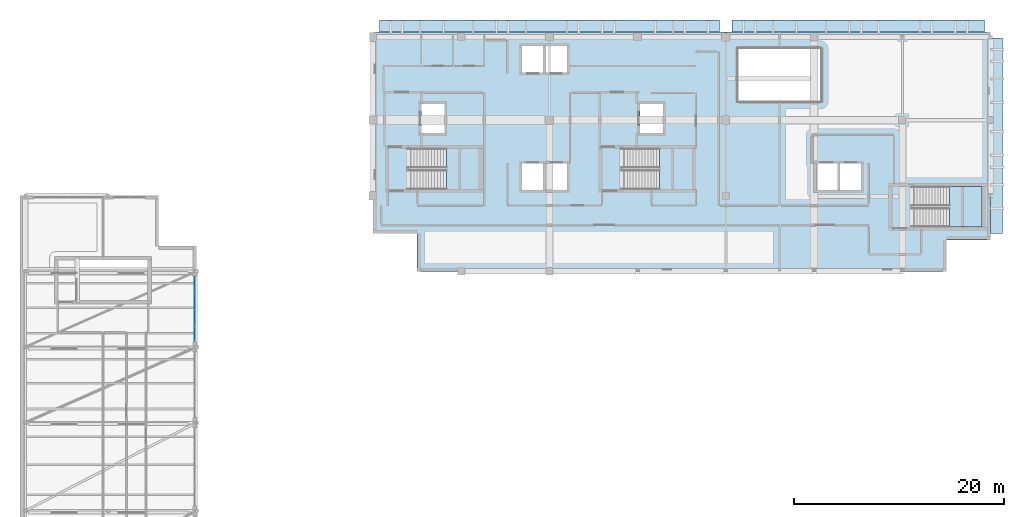
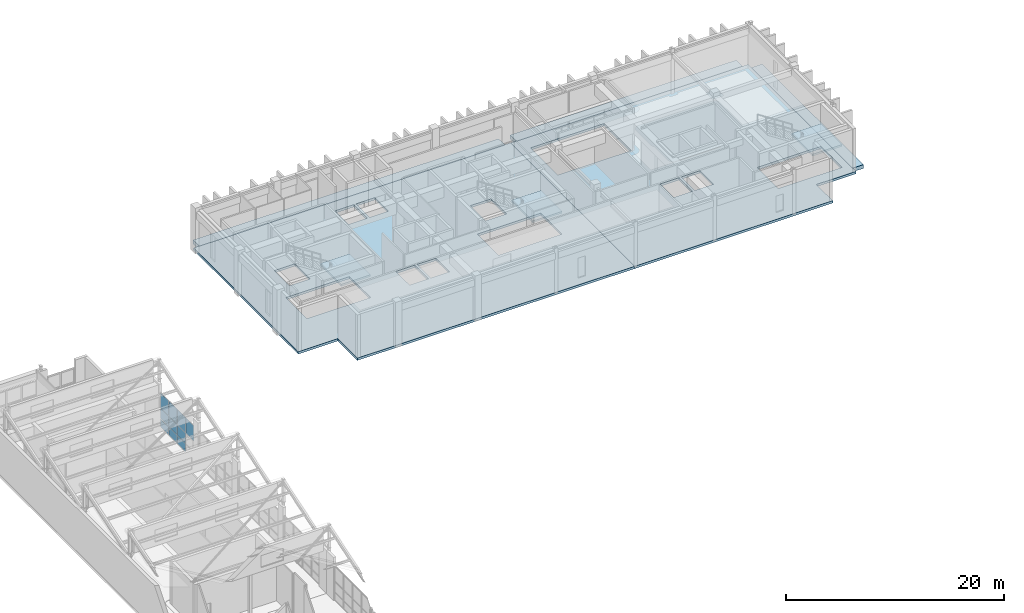
# One storey, part 23 of 34: 10 plates, 8 slabs, 4 elements without a shape of their own.
"""IFC4 building model written with IfcOpenShell, lengths in metres."""

import ifcopenshell
import ifcopenshell.guid

model = None  # the IFC model being written
_history = None  # IfcOwnerHistory: only IFC2X3 demands one
_inside = {}  # id of a spatial element -> (the spatial element, [elements in it])
_under = {}  # id of a project, library or spatial element -> (it, [spatial elements below it])
_declared = {}  # id of a project -> (the project, [libraries it declares])
_typed = {}  # id of a type object -> (the type object, [elements of that type])
_made_of = {}  # id of a material, layer set ... -> (it, [elements and type objects made of it])


def new_model(schema):
    """Start an empty IFC model of exactly this schema.

    Asked for "IFC4X3", IfcOpenShell would pick the latest addendum, in which some entities
    have other attributes; the version numbers below select the first issue.
    IFC2X3 requires an IfcOwnerHistory on every rooted entity: one is made here for all.
    """
    global model, _history
    if schema == "IFC4X3":
        model = ifcopenshell.file(schema_version=(4, 3, 0, 0))
    else:
        model = ifcopenshell.file(schema=schema)
    _inside.clear()
    _under.clear()
    _declared.clear()
    _typed.clear()
    _made_of.clear()
    _history = None
    if model.schema == "IFC2X3":
        org = make("IfcOrganization", Name="unknown")
        user = make(
            "IfcPersonAndOrganization",
            ThePerson=make("IfcPerson", FamilyName="unknown"),
            TheOrganization=org,
        )
        app = make(
            "IfcApplication",
            ApplicationDeveloper=org,
            Version="unknown",
            ApplicationFullName="unknown",
            ApplicationIdentifier="unknown",
        )
        _history = make(
            "IfcOwnerHistory",
            OwningUser=user,
            OwningApplication=app,
            ChangeAction="ADDED",
            CreationDate=0,
        )
    return model


def make(cls, **values):
    """One entity of the class cls with the attributes given. An attribute that is None is left unset."""
    return model.create_entity(
        cls, **{name: value for name, value in values.items() if value is not None}
    )


def rooted(cls, **values):
    """An entity with a GlobalId (a new one), such as an element, a storey or a relation."""
    return make(cls, GlobalId=ifcopenshell.guid.new(), OwnerHistory=_history, **values)


def si_unit(unit_type, name, prefix=None):
    """IfcSIUnit, for example si_unit("LENGTHUNIT", "METRE", prefix="MILLI")."""
    return make("IfcSIUnit", UnitType=unit_type, Prefix=prefix, Name=name)


def assignment(units):
    """IfcUnitAssignment: the units of a project."""
    return None if units is None else make("IfcUnitAssignment", Units=units)


def point(xyz):
    """IfcCartesianPoint."""
    return None if xyz is None else make("IfcCartesianPoint", Coordinates=xyz)


def direction(xyz):
    """IfcDirection."""
    return None if xyz is None else make("IfcDirection", DirectionRatios=xyz)


def frame(location, z_axis=None, x_axis=None):
    """IfcAxis2Placement3D, a coordinate frame: its origin and axes. An axis left out is left unset."""
    return make(
        "IfcAxis2Placement3D",
        Location=point(location),
        Axis=direction(z_axis),
        RefDirection=direction(x_axis),
    )


def frame_2d(location, x_axis=None):
    """IfcAxis2Placement2D, a coordinate frame in the plane: its origin and x axis."""
    return make(
        "IfcAxis2Placement2D", Location=point(location), RefDirection=direction(x_axis)
    )


def origin():
    """The frame at (0, 0, 0) with its axes left unset."""
    return frame((0.0, 0.0, 0.0))


def origin_2d():
    """The frame at (0, 0) in the plane with its x axis left unset."""
    return frame_2d((0.0, 0.0))


def place(relative_to, where):
    """IfcLocalPlacement: puts the frame where relative to a parent placement (None: the world)."""
    return make(
        "IfcLocalPlacement", PlacementRelTo=relative_to, RelativePlacement=where
    )


def context(
    kind, dimensions, precision=None, world=None, true_north=None, identifier=None
):
    """IfcGeometricRepresentationContext, for example the 3D "Model" context."""
    return make(
        "IfcGeometricRepresentationContext",
        ContextIdentifier=identifier,
        ContextType=kind,
        CoordinateSpaceDimension=dimensions,
        Precision=precision,
        WorldCoordinateSystem=world,
        TrueNorth=true_north,
    )


def subcontext(parent, identifier, kind, view, scale=None):
    """IfcGeometricRepresentationSubContext, for example "Body" below "Model"."""
    return make(
        "IfcGeometricRepresentationSubContext",
        ContextIdentifier=identifier,
        ContextType=kind,
        ParentContext=parent,
        TargetScale=scale,
        TargetView=view,
    )


def project(units=None, contexts=None):
    """IfcProject with its units and contexts."""
    return rooted(
        "IfcProject",
        Name="project",
        RepresentationContexts=contexts,
        UnitsInContext=assignment(units),
    )


def spatial(cls, under=None, at=None, **own):
    """A site, building, storey or space (cls), placed at a placement, below another one or the project."""
    s = rooted(cls, ObjectPlacement=at, **own)
    if under is not None:
        _under.setdefault(under.id(), (under, []))[1].append(s)
    return s


def polyline(points):
    """IfcPolyline through the points."""
    return make("IfcPolyline", Points=[point(p) for p in points])


def profile(cls, at=None, kind="AREA", **sizes):
    """A parametric profile (cls). Its sizes go by their IFC names, for example OverallWidth=200.0."""
    return make(cls, ProfileType=kind, Position=at, **sizes)


def rectangle(**sizes):
    """IfcRectangleProfileDef."""
    return profile("IfcRectangleProfileDef", **sizes)


def outline(outer, holes=None, kind="AREA"):
    """IfcArbitraryClosedProfileDef: a profile drawn as a closed curve; with holes, ...WithVoids."""
    if holes is None:
        return make("IfcArbitraryClosedProfileDef", ProfileType=kind, OuterCurve=outer)
    return make(
        "IfcArbitraryProfileDefWithVoids",
        ProfileType=kind,
        OuterCurve=outer,
        InnerCurves=holes,
    )


def extrude(swept, where, along, depth):
    """IfcExtrudedAreaSolid: the profile swept, set in the frame where, extruded along a direction by depth."""
    return make(
        "IfcExtrudedAreaSolid",
        SweptArea=swept,
        Position=where,
        ExtrudedDirection=direction(along),
        Depth=depth,
    )


def shape(context_of_items, identifier, shape_type, items):
    """IfcShapeRepresentation: the items that make up one representation, for example the "Body"."""
    return make(
        "IfcShapeRepresentation",
        ContextOfItems=context_of_items,
        RepresentationIdentifier=identifier,
        RepresentationType=shape_type,
        Items=items,
    )


def material(Name=None, Category=None):
    """IfcMaterial."""
    return make("IfcMaterial", Name=Name, Category=Category)


def layer(
    of_material, thickness, ventilated=None, Name=None, Category=None, Priority=None
):
    """IfcMaterialLayer: one layer of a wall or slab, of a material (None: an air gap)."""
    return make(
        "IfcMaterialLayer",
        Material=of_material,
        LayerThickness=thickness,
        IsVentilated=ventilated,
        Name=Name,
        Category=Category,
        Priority=Priority,
    )


def layer_set(layers, Name=None):
    """IfcMaterialLayerSet."""
    return make("IfcMaterialLayerSet", MaterialLayers=layers, LayerSetName=Name)


def made_of(thing, what):
    """Note that an element or type object is made of a material, layer set ...; save() writes the relation."""
    if what is not None:
        _made_of.setdefault(what.id(), (what, []))[1].append(thing)
    return thing


def type_object(cls, material=None, **own):
    """A type object (cls), such as IfcWallType, which elements share."""
    return made_of(rooted(cls, **own), material)


def element(
    cls,
    number,
    at=None,
    inside=None,
    cuts=None,
    type_object=None,
    material=None,
    context=None,
    identifier="Body",
    shape_type=None,
    held_by="IfcProductDefinitionShape",
    body=None,
    shapes=None,
    **own,
):
    """One element of the class cls, such as IfcWall. Its Tag is "e" and its number.

    at: its placement. inside: the storey or other place that contains it. cuts: it is an
    opening in that element (IfcRelVoidsElement). A single representation is given by context,
    identifier, shape_type and body (its items); several are given by shapes. held_by: the class
    of the entity that holds the representations. save() writes the other relations.
    """
    e = rooted(cls, Tag="e%d" % number, ObjectPlacement=at, **own)
    if body is not None:
        shapes = [shape(context, identifier, shape_type, body)]
    if shapes is not None:
        e.Representation = make(held_by, Representations=shapes)
    if inside is not None:
        _inside.setdefault(inside.id(), (inside, []))[1].append(e)
    if cuts is not None:
        rooted(
            "IfcRelVoidsElement", RelatingBuildingElement=cuts, RelatedOpeningElement=e
        )
    if type_object is not None:
        _typed.setdefault(type_object.id(), (type_object, []))[1].append(e)
    return made_of(e, material)


def aggregate(whole, parts):
    """IfcRelAggregates: a whole, such as a stair, and the parts it consists of."""
    return rooted("IfcRelAggregates", RelatingObject=whole, RelatedObjects=parts)


def save(model, path):
    """Write the relations noted so far, then the file.

    IfcRelAggregates (storeys below a building ...), IfcRelContainedInSpatialStructure (elements
    in a storey), IfcRelDefinesByType, IfcRelAssociatesMaterial and IfcRelDeclares: one each for
    every whole, place, type object, material and project.
    """
    for whole, parts in _under.values():
        aggregate(whole, parts)
    for where, things in _inside.values():
        rooted(
            "IfcRelContainedInSpatialStructure",
            RelatedElements=things,
            RelatingStructure=where,
        )
    for kind, things in _typed.values():
        rooted("IfcRelDefinesByType", RelatedObjects=things, RelatingType=kind)
    for what, things in _made_of.values():
        rooted("IfcRelAssociatesMaterial", RelatedObjects=things, RelatingMaterial=what)
    for by, libraries in _declared.values():
        rooted("IfcRelDeclares", RelatingContext=by, RelatedDefinitions=libraries)
    model.write(path)


model = new_model("IFC4")

# Units and contexts
model_context = context("Model", 3, precision=1e-05, world=origin(), true_north=direction((0.0, 1.0)))
body_context = subcontext(model_context, "Body", "Model", "MODEL_VIEW")
ifc_project = project(units=[si_unit("LENGTHUNIT", "METRE"), si_unit("AREAUNIT", "SQUARE_METRE"), si_unit("VOLUMEUNIT", "CUBIC_METRE"), si_unit("PLANEANGLEUNIT", "RADIAN"), si_unit("MASSUNIT", "GRAM", prefix="KILO")], contexts=[model_context])

# Site, building, storey
site_placement = place(None, origin())
site = spatial("IfcSite", under=ifc_project, at=site_placement, CompositionType="ELEMENT")
building_placement = place(site_placement, origin())
building = spatial("IfcBuilding", under=site, at=building_placement, Name="Quendrovan Civic Courthouse", CompositionType="ELEMENT")
storey_placement = place(building_placement, frame((0.0, 0.0, 25.5)))
storey = spatial("IfcBuildingStorey", under=building, at=storey_placement, Name="L06", CompositionType="ELEMENT", Elevation=25.5)

# Curtain wall, plates
ifc_material_1 = material(Name="Bronze anodised aluminium and low-E glass", Category="aluminium")
ifc_layer_1 = layer(ifc_material_1, 0.179931640625, Name="Bronze anodised aluminium and low-E glass")
ifc_layer_set_1 = layer_set([ifc_layer_1], Name="Bronze anodised aluminium and low-E glass")
curtain_wall_type = type_object("IfcCurtainWallType", Name="CW-U62x39", PredefinedType="USERDEFINED", material=ifc_layer_set_1)
curtain_wall_placement = place(storey_placement, origin())
curtain_wall = element("IfcCurtainWall", 1, at=curtain_wall_placement, inside=storey, type_object=curtain_wall_type, Name="L06 Unitised Hurricane Curtain Wall CW-207", ObjectType="UNITISED CURTAIN WALL", PredefinedType="USERDEFINED")
ifc_material_2 = material(Name="Laminated hurricane-impact low-E glass", Category="glass")
ifc_layer_2 = layer(ifc_material_2, 0.0419921875, Name="Laminated hurricane-impact low-E glass")
ifc_layer_set_2 = layer_set([ifc_layer_2], Name="Laminated hurricane-impact low-E glass")
plate_type = type_object("IfcPlateType", Name="CW-PNL-4", PredefinedType="CURTAIN_PANEL", material=ifc_layer_set_2)
plate_1_placement = place(storey_placement, frame((16.635009765625, 86.3173828125, 0.06494140625), z_axis=(0.0, 0.0, 1.0), x_axis=(0.0, -1.0, 0.0)))
plate_1 = element("IfcPlate", 2, at=plate_1_placement, type_object=plate_type, Name="CW-207 panel 1.1", PredefinedType="CURTAIN_PANEL", context=body_context, shape_type="SweptSolid", body=[
    extrude(rectangle(XDim=1.462158203125, YDim=0.0419921875, at=origin_2d()), origin(), (0.0, 0.0, 1.0), 0.8525390625),
])
plate_2_placement = place(storey_placement, frame((16.635009765625, 86.3173828125, 0.982421875), z_axis=(0.0, 0.0, 1.0), x_axis=(0.0, -1.0, 0.0)))
plate_2 = element("IfcPlate", 3, at=plate_2_placement, type_object=plate_type, Name="CW-207 panel 1.2", PredefinedType="CURTAIN_PANEL", context=body_context, shape_type="SweptSolid", body=[
    extrude(rectangle(XDim=1.462158203125, YDim=0.0419921875, at=origin_2d()), origin(), (0.0, 0.0, 1.0), 1.135009765625),
])
plate_3_placement = place(storey_placement, frame((16.635009765625, 86.3173828125, 2.1826171875), z_axis=(0.0, 0.0, 1.0), x_axis=(0.0, -1.0, 0.0)))
plate_3 = element("IfcPlate", 4, at=plate_3_placement, type_object=plate_type, Name="CW-207 panel 1.3", PredefinedType="CURTAIN_PANEL", context=body_context, shape_type="SweptSolid", body=[
    extrude(rectangle(XDim=1.462158203125, YDim=0.0419921875, at=origin_2d()), origin(), (0.0, 0.0, 1.0), 1.652587890625),
])
plate_4_placement = place(storey_placement, frame((16.635009765625, 84.774169921875, 0.06494140625), z_axis=(0.0, 0.0, 1.0), x_axis=(0.0, -1.0, 0.0)))
plate_4 = element("IfcPlate", 5, at=plate_4_placement, type_object=plate_type, Name="CW-207 panel 2.1", PredefinedType="CURTAIN_PANEL", context=body_context, shape_type="SweptSolid", body=[
    extrude(rectangle(XDim=1.49462890625, YDim=0.0419921875, at=origin_2d()), origin(), (0.0, 0.0, 1.0), 0.8525390625),
])
plate_5_placement = place(storey_placement, frame((16.635009765625, 84.774169921875, 0.982421875), z_axis=(0.0, 0.0, 1.0), x_axis=(0.0, -1.0, 0.0)))
plate_5 = element("IfcPlate", 6, at=plate_5_placement, type_object=plate_type, Name="CW-207 panel 2.2", PredefinedType="CURTAIN_PANEL", context=body_context, shape_type="SweptSolid", body=[
    extrude(rectangle(XDim=1.49462890625, YDim=0.0419921875, at=origin_2d()), origin(), (0.0, 0.0, 1.0), 1.135009765625),
])
plate_6_placement = place(storey_placement, frame((16.635009765625, 84.774169921875, 2.1826171875), z_axis=(0.0, 0.0, 1.0), x_axis=(0.0, -1.0, 0.0)))
plate_6 = element("IfcPlate", 7, at=plate_6_placement, type_object=plate_type, Name="CW-207 panel 2.3", PredefinedType="CURTAIN_PANEL", context=body_context, shape_type="SweptSolid", body=[
    extrude(rectangle(XDim=1.49462890625, YDim=0.0419921875, at=origin_2d()), origin(), (0.0, 0.0, 1.0), 1.652587890625),
])
plate_7_placement = place(storey_placement, frame((16.635009765625, 83.21435546875, 0.06494140625), z_axis=(0.0, 0.0, 1.0), x_axis=(0.0, -1.0, 0.0)))
plate_7 = element("IfcPlate", 8, at=plate_7_placement, type_object=plate_type, Name="CW-207 panel 3.1", PredefinedType="CURTAIN_PANEL", context=body_context, shape_type="SweptSolid", body=[
    extrude(rectangle(XDim=1.49462890625, YDim=0.0419921875, at=origin_2d()), origin(), (0.0, 0.0, 1.0), 0.8525390625),
])
plate_8_placement = place(storey_placement, frame((16.635009765625, 83.21435546875, 0.982421875), z_axis=(0.0, 0.0, 1.0), x_axis=(0.0, -1.0, 0.0)))
plate_8 = element("IfcPlate", 9, at=plate_8_placement, type_object=plate_type, Name="CW-207 panel 3.2", PredefinedType="CURTAIN_PANEL", context=body_context, shape_type="SweptSolid", body=[
    extrude(rectangle(XDim=1.49462890625, YDim=0.0419921875, at=origin_2d()), origin(), (0.0, 0.0, 1.0), 1.135009765625),
])
plate_9_placement = place(storey_placement, frame((16.635009765625, 83.21435546875, 2.1826171875), z_axis=(0.0, 0.0, 1.0), x_axis=(0.0, -1.0, 0.0)))
plate_9 = element("IfcPlate", 10, at=plate_9_placement, type_object=plate_type, Name="CW-207 panel 3.3", PredefinedType="CURTAIN_PANEL", context=body_context, shape_type="SweptSolid", body=[
    extrude(rectangle(XDim=1.49462890625, YDim=0.0419921875, at=origin_2d()), origin(), (0.0, 0.0, 1.0), 1.652587890625),
])
plate_10_placement = place(storey_placement, frame((16.635009765625, 81.671142578125, 2.1826171875), z_axis=(0.0, 0.0, 1.0), x_axis=(0.0, -1.0, 0.0)))
plate_10 = element("IfcPlate", 11, at=plate_10_placement, type_object=plate_type, Name="CW-207 panel 4.3", PredefinedType="CURTAIN_PANEL", context=body_context, shape_type="SweptSolid", body=[
    extrude(rectangle(XDim=1.462158203125, YDim=0.0419921875, at=origin_2d()), origin(), (0.0, 0.0, 1.0), 1.652587890625),
])
aggregate(curtain_wall, [plate_1, plate_2, plate_3, plate_4, plate_5, plate_6, plate_7, plate_8, plate_9, plate_10])

# Slabs
ifc_material_3 = material(Name="Precast limestone concrete C45/55", Category="masonry")
ifc_layer_3 = layer(ifc_material_3, 0.419921875, Name="Precast limestone concrete C45/55")
ifc_layer_set_3 = layer_set([ifc_layer_3], Name="Precast limestone concrete C45/55")
slab_type_1 = type_object("IfcSlabType", Name="SLB-LEDGE-420", PredefinedType="FLOOR", material=ifc_layer_set_3)
slab_1_placement = place(storey_placement, frame((0.0, 0.0, -0.419921875)))
element("IfcSlab", 12, at=slab_1_placement, inside=storey, type_object=slab_type_1, Name="L06 Precast Architectural Spandrel Fin Shelf 493-0", PredefinedType="FLOOR", context=body_context, shape_type="SweptSolid", body=[
    extrude(outline(polyline([(93.528076171875, 109.800048828125), (93.528076171875, 91.199951171875), (92.3779296875, 91.199951171875), (92.3779296875, 109.800048828125), (93.528076171875, 109.800048828125)])), origin(), (0.0, 0.0, 1.0), 0.419921875),
])
slab_2_placement = place(storey_placement, frame((0.0, 0.0, -0.419921875)))
element("IfcSlab", 13, at=slab_2_placement, inside=storey, type_object=slab_type_1, Name="L06 Precast Architectural Spandrel Fin Shelf 501-0", PredefinedType="FLOOR", context=body_context, shape_type="SweptSolid", body=[
    extrude(outline(polyline([(34.199951171875, 111.528076171875), (66.60009765625, 111.528076171875), (66.60009765625, 110.3779296875), (34.199951171875, 110.3779296875), (34.199951171875, 111.528076171875)])), origin(), (0.0, 0.0, 1.0), 0.419921875),
])
slab_3_placement = place(storey_placement, frame((0.0, 0.0, -0.419921875)))
element("IfcSlab", 14, at=slab_3_placement, inside=storey, type_object=slab_type_1, Name="L06 Precast Architectural Spandrel Fin Shelf 502-0", PredefinedType="FLOOR", context=body_context, shape_type="SweptSolid", body=[
    extrude(outline(polyline([(67.800048828125, 111.528076171875), (91.800048828125, 111.528076171875), (91.800048828125, 110.3779296875), (67.800048828125, 110.3779296875), (67.800048828125, 111.528076171875)])), origin(), (0.0, 0.0, 1.0), 0.419921875),
])
ifc_material_4 = material(Name="Concrete C40/50", Category="concrete")
ifc_layer_4 = layer(ifc_material_4, 0.260009765625, Name="Concrete C40/50")
ifc_layer_set_4 = layer_set([ifc_layer_4], Name="Concrete C40/50")
slab_type_2 = type_object("IfcSlabType", Name="SLB-RC-260", PredefinedType="FLOOR", material=ifc_layer_set_4)
slab_4_placement = place(storey_placement, frame((0.0, 0.0, -0.260009765625)))
element("IfcSlab", 15, at=slab_4_placement, inside=storey, type_object=slab_type_2, Name="L06 Structural Floor Slab V2W", PredefinedType="FLOOR", context=body_context, shape_type="SweptSolid", body=[
    extrude(outline(polyline([(67.199951171875, 110.39990234375), (67.199951171875, 87.60009765625), (37.800048828125, 87.60009765625), (37.800048828125, 91.199951171875), (33.60009765625, 91.199951171875), (33.60009765625, 110.39990234375), (67.199951171875, 110.39990234375)]), holes=[polyline([(49.800048828125, 97.85009765625), (47.800048828125, 97.85009765625), (47.800048828125, 95.35009765625), (49.800048828125, 95.35009765625), (49.800048828125, 97.85009765625)]), polyline([(52.050048828125, 97.85009765625), (50.050048828125, 97.85009765625), (50.050048828125, 95.35009765625), (52.050048828125, 95.35009765625), (52.050048828125, 97.85009765625)]), polyline([(43.699951171875, 99.280029296875), (36.949951171875, 99.280029296875), (36.949951171875, 95.39990234375), (43.699951171875, 95.39990234375), (43.699951171875, 99.280029296875)]), polyline([(64.0, 99.280029296875), (57.25, 99.280029296875), (57.25, 95.39990234375), (64.0, 95.39990234375), (64.0, 99.280029296875)]), polyline([(40.39990234375, 103.550048828125), (38.199951171875, 103.550048828125), (38.199951171875, 100.75), (40.39990234375, 100.75), (40.39990234375, 103.550048828125)]), polyline([(61.199951171875, 103.550048828125), (59.0, 103.550048828125), (59.0, 100.75), (61.199951171875, 100.75), (61.199951171875, 103.550048828125)]), polyline([(49.800048828125, 109.050048828125), (47.800048828125, 109.050048828125), (47.800048828125, 106.550048828125), (49.800048828125, 106.550048828125), (49.800048828125, 109.050048828125)]), polyline([(52.050048828125, 109.050048828125), (50.050048828125, 109.050048828125), (50.050048828125, 106.550048828125), (52.050048828125, 106.550048828125), (52.050048828125, 109.050048828125)])]), origin(), (0.0, 0.0, 1.0), 0.260009765625),
])
slab_5_placement = place(storey_placement, frame((0.0, 0.0, -0.260009765625)))
element("IfcSlab", 16, at=slab_5_placement, inside=storey, type_object=slab_type_2, Name="L06 Structural Floor Slab V2E", PredefinedType="FLOOR", context=body_context, shape_type="SweptSolid", body=[
    extrude(outline(polyline([(67.199951171875, 110.39990234375), (92.39990234375, 110.39990234375), (92.39990234375, 90.60009765625), (88.199951171875, 90.60009765625), (88.199951171875, 87.60009765625), (67.199951171875, 87.60009765625), (67.199951171875, 110.39990234375)]), holes=[polyline([(84.85009765625, 95.679931640625), (84.85009765625, 91.800048828125), (91.60009765625, 91.800048828125), (91.60009765625, 95.679931640625), (84.85009765625, 95.679931640625)]), polyline([(75.800048828125, 97.85009765625), (75.800048828125, 95.35009765625), (77.800048828125, 95.35009765625), (77.800048828125, 97.85009765625), (75.800048828125, 97.85009765625)]), polyline([(78.050048828125, 97.85009765625), (78.050048828125, 95.35009765625), (80.050048828125, 95.35009765625), (80.050048828125, 97.85009765625), (78.050048828125, 97.85009765625)]), polyline([(68.39990234375, 103.800048828125), (76.199951171875, 103.800048828125), (76.199951171875, 108.800048828125), (68.39990234375, 108.800048828125), (68.39990234375, 103.800048828125)])]), origin(), (0.0, 0.0, 1.0), 0.260009765625),
])

# Stair, slab
stair_type = type_object("IfcStairType", Name="STR-CORE-5100", PredefinedType="HALF_TURN_STAIR", material=ifc_material_4)
stair_1_placement = place(storey_placement, origin())
stair_1 = element("IfcStair", 17, at=stair_1_placement, inside=storey, type_object=stair_type, Name="L06 West Judicial and Public Exit Stair 1", PredefinedType="HALF_TURN_STAIR")
ifc_layer_5 = layer(ifc_material_4, 0.199951171875, Name="Concrete C40/50")
ifc_layer_set_5 = layer_set([ifc_layer_5], Name="Concrete C40/50")
slab_type_3 = type_object("IfcSlabType", Name="SLB-STAIR-LND200", PredefinedType="LANDING", material=ifc_layer_set_5)
slab_6_placement = place(storey_placement, frame((0.0, 0.0, 2.35009765625)))
slab_6 = element("IfcSlab", 18, at=slab_6_placement, type_object=slab_type_3, Name="ST1 landing 1", PredefinedType="LANDING", context=body_context, shape_type="SweptSolid", body=[
    extrude(outline(polyline([(40.590087890625, 95.39990234375), (43.699951171875, 95.39990234375), (43.699951171875, 99.280029296875), (40.590087890625, 99.280029296875), (40.590087890625, 95.39990234375)])), origin(), (0.0, 0.0, 1.0), 0.199951171875),
])
aggregate(stair_1, [slab_6])

stair_2_placement = place(storey_placement, origin())
stair_2 = element("IfcStair", 19, at=stair_2_placement, inside=storey, type_object=stair_type, Name="L06 Central Judicial and Firefighting Exit Stair 2", PredefinedType="HALF_TURN_STAIR")
slab_7_placement = place(storey_placement, frame((0.0, 0.0, 2.35009765625)))
slab_7 = element("IfcSlab", 20, at=slab_7_placement, type_object=slab_type_3, Name="ST2 landing 1", PredefinedType="LANDING", context=body_context, shape_type="SweptSolid", body=[
    extrude(outline(polyline([(60.889892578125, 95.39990234375), (64.0, 95.39990234375), (64.0, 99.280029296875), (60.889892578125, 99.280029296875), (60.889892578125, 95.39990234375)])), origin(), (0.0, 0.0, 1.0), 0.199951171875),
])
aggregate(stair_2, [slab_7])

stair_3_placement = place(storey_placement, origin())
stair_3 = element("IfcStair", 21, at=stair_3_placement, inside=storey, type_object=stair_type, Name="L06 East Court Block Exit Stair 3", PredefinedType="HALF_TURN_STAIR")
slab_8_placement = place(storey_placement, frame((0.0, 0.0, 2.35009765625)))
slab_8 = element("IfcSlab", 22, at=slab_8_placement, type_object=slab_type_3, Name="ST3 landing 1", PredefinedType="LANDING", context=body_context, shape_type="SweptSolid", body=[
    extrude(outline(polyline([(88.489990234375, 91.800048828125), (91.60009765625, 91.800048828125), (91.60009765625, 95.679931640625), (88.489990234375, 95.679931640625), (88.489990234375, 91.800048828125)])), origin(), (0.0, 0.0, 1.0), 0.199951171875),
])
aggregate(stair_3, [slab_8])

save(model, "model.ifc")
